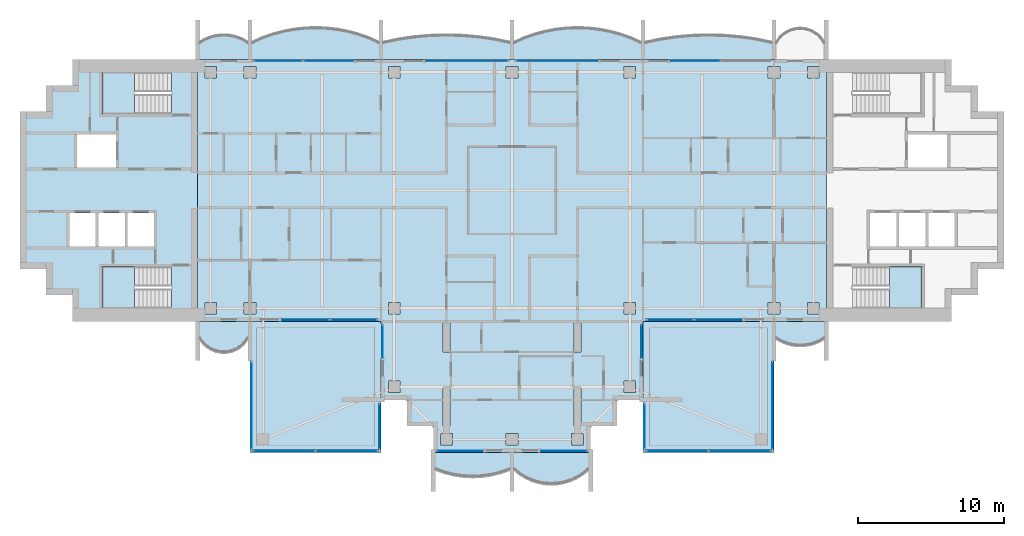
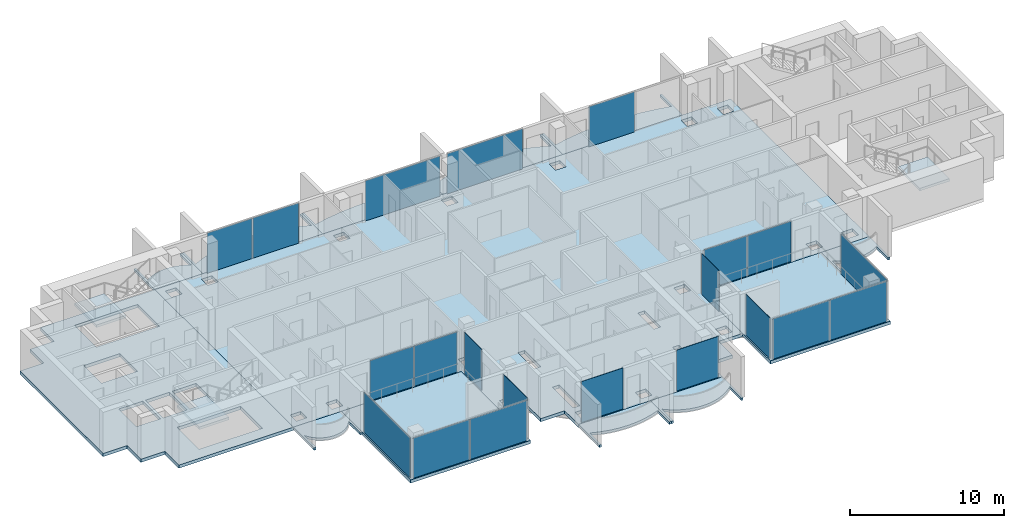
# One storey, part 5 of 16: 21 plates, 16 slabs, 19 elements without a shape of their own.
"""IFC4 building model written with IfcOpenShell, lengths in metres."""

from ifc_helpers import new_model, si_unit, direction, frame, origin, origin_2d, place, context, subcontext, project, spatial, polyline, rectangle, outline, extrude, material, layer, layer_set, type_object, element, aggregate, save


model = new_model("IFC4")

# Units and contexts
model_context = context("Model", 3, precision=1e-05, world=origin(), true_north=direction((0.0, 1.0)))
body_context = subcontext(model_context, "Body", "Model", "MODEL_VIEW")
ifc_project = project(units=[si_unit("LENGTHUNIT", "METRE"), si_unit("AREAUNIT", "SQUARE_METRE"), si_unit("VOLUMEUNIT", "CUBIC_METRE"), si_unit("PLANEANGLEUNIT", "RADIAN"), si_unit("MASSUNIT", "GRAM", prefix="KILO")], contexts=[model_context])

# Site, building, storey
site_placement = place(None, origin())
site = spatial("IfcSite", under=ifc_project, at=site_placement, CompositionType="ELEMENT")
building_placement = place(site_placement, origin())
building = spatial("IfcBuilding", under=site, at=building_placement, Name="Perihelion Cross Residences", CompositionType="ELEMENT")
storey_placement = place(building_placement, frame((0.0, 0.0, 257.0)))
storey = spatial("IfcBuildingStorey", under=building, at=storey_placement, Name="L65", CompositionType="ELEMENT", Elevation=257.0)

# Slabs
ifc_material_1 = material(Name="Concrete C40/50", Category="concrete")
ifc_layer_1 = layer(ifc_material_1, 0.199951171875)
ifc_layer_set_1 = layer_set([ifc_layer_1], Name="Balcony slab 200")
slab_type_1 = type_object("IfcSlabType", Name="Balcony slab 200", PredefinedType="FLOOR", material=ifc_layer_set_1)
slab_1_placement = place(storey_placement, frame((0.0, 0.0, -0.199951171875)))
element("IfcSlab", 1, at=slab_1_placement, inside=storey, type_object=slab_type_1, Name="Slab BK1 L65 east side north bay 2 balcony", PredefinedType="FLOOR", context=body_context, shape_type="SweptSolid", body=[
    extrude(outline(polyline([(18.0, 9.0), (9.0, 9.0), (9.0, 11.699951171875), (9.14990234375, 11.699951171875), (9.14990234375, 10.199951171875), (10.237548828125, 10.42041015625), (11.324951171875, 10.576171875), (12.41259765625, 10.669189453125), (13.5, 10.699951171875), (14.58740234375, 10.669189453125), (15.675048828125, 10.576171875), (16.762451171875, 10.42041015625), (17.85009765625, 10.199951171875), (17.85009765625, 11.699951171875), (18.0, 11.699951171875), (18.0, 9.0)])), origin(), (0.0, 0.0, 1.0), 0.199951171875),
])
slab_2_placement = place(storey_placement, frame((0.0, 0.0, -0.199951171875)))
element("IfcSlab", 2, at=slab_2_placement, inside=storey, type_object=slab_type_1, Name="Slab BK1 L65 north side east bay 1 balcony", PredefinedType="FLOOR", context=body_context, shape_type="SweptSolid", body=[
    extrude(outline(polyline([(9.0, 9.0), (0.0, 9.0), (0.0, 11.699951171875), (0.14990234375, 11.699951171875), (0.14990234375, 10.199951171875), (0.875, 10.51708984375), (1.60009765625, 10.7685546875), (2.324951171875, 10.959716796875), (3.050048828125, 11.093994140625), (3.77490234375, 11.173583984375), (4.5, 11.199951171875), (5.22509765625, 11.173583984375), (5.949951171875, 11.093994140625), (6.675048828125, 10.959716796875), (7.39990234375, 10.7685546875), (8.125, 10.51708984375), (8.85009765625, 10.199951171875), (8.85009765625, 11.699951171875), (9.0, 11.699951171875), (9.0, 9.0)])), origin(), (0.0, 0.0, 1.0), 0.199951171875),
])
slab_3_placement = place(storey_placement, frame((0.0, 0.0, -0.199951171875)))
element("IfcSlab", 3, at=slab_3_placement, inside=storey, type_object=slab_type_1, Name="Slab BK1 L65 north side east bay 2 balcony", PredefinedType="FLOOR", context=body_context, shape_type="SweptSolid", body=[
    extrude(outline(polyline([(0.0, 9.0), (-9.0, 9.0), (-9.0, 11.699951171875), (-8.85009765625, 11.699951171875), (-8.85009765625, 10.199951171875), (-7.762451171875, 10.42041015625), (-6.675048828125, 10.576171875), (-5.58740234375, 10.669189453125), (-4.5, 10.699951171875), (-3.41259765625, 10.669189453125), (-2.324951171875, 10.576171875), (-1.237548828125, 10.42041015625), (-0.14990234375, 10.199951171875), (-0.14990234375, 11.699951171875), (0.0, 11.699951171875), (0.0, 9.0)])), origin(), (0.0, 0.0, 1.0), 0.199951171875),
])
slab_4_placement = place(storey_placement, frame((0.0, 0.0, -0.199951171875)))
element("IfcSlab", 4, at=slab_4_placement, inside=storey, type_object=slab_type_1, Name="Slab BK1 L65 west side north bay 1 balcony", PredefinedType="FLOOR", context=body_context, shape_type="SweptSolid", body=[
    extrude(outline(polyline([(-9.0, 9.0), (-18.0, 9.0), (-18.0, 11.699951171875), (-17.85009765625, 11.699951171875), (-17.85009765625, 10.199951171875), (-17.125, 10.51708984375), (-16.39990234375, 10.7685546875), (-15.675048828125, 10.959716796875), (-14.949951171875, 11.093994140625), (-14.22509765625, 11.173583984375), (-13.5, 11.199951171875), (-12.77490234375, 11.173583984375), (-12.050048828125, 11.093994140625), (-11.324951171875, 10.959716796875), (-10.60009765625, 10.7685546875), (-9.875, 10.51708984375), (-9.14990234375, 10.199951171875), (-9.14990234375, 11.699951171875), (-9.0, 11.699951171875), (-9.0, 9.0)])), origin(), (0.0, 0.0, 1.0), 0.199951171875),
])
slab_5_placement = place(storey_placement, frame((0.0, 0.0, -0.199951171875)))
element("IfcSlab", 5, at=slab_5_placement, inside=storey, type_object=slab_type_1, Name="Slab BK1 L65 west side north bay 2 balcony", PredefinedType="FLOOR", context=body_context, shape_type="SweptSolid", body=[
    extrude(outline(polyline([(-18.0, 9.0), (-21.60009765625, 9.0), (-21.60009765625, 11.699951171875), (-21.449951171875, 11.699951171875), (-21.449951171875, 10.199951171875), (-21.083251953125, 10.40869140625), (-20.716552734375, 10.55517578125), (-20.35009765625, 10.648681640625), (-19.9833984375, 10.6943359375), (-19.61669921875, 10.6943359375), (-19.25, 10.648681640625), (-18.88330078125, 10.55517578125), (-18.5166015625, 10.40869140625), (-18.14990234375, 10.199951171875), (-18.14990234375, 11.699951171875), (-18.0, 11.699951171875), (-18.0, 9.0)])), origin(), (0.0, 0.0, 1.0), 0.199951171875),
])
slab_6_placement = place(storey_placement, frame((0.0, 0.0, -0.199951171875)))
element("IfcSlab", 6, at=slab_6_placement, inside=storey, type_object=slab_type_1, Name="Slab BK1 L65 west side south bay 1 balcony", PredefinedType="FLOOR", context=body_context, shape_type="SweptSolid", body=[
    extrude(outline(polyline([(-21.60009765625, -9.0), (-18.0, -9.0), (-18.0, -11.699951171875), (-18.14990234375, -11.699951171875), (-18.14990234375, -10.199951171875), (-18.425048828125, -10.568603515625), (-18.699951171875, -10.806396484375), (-18.97509765625, -10.96875), (-19.25, -11.07568359375), (-19.52490234375, -11.136962890625), (-19.800048828125, -11.156982421875), (-20.074951171875, -11.136962890625), (-20.35009765625, -11.07568359375), (-20.625, -10.96875), (-20.89990234375, -10.806396484375), (-21.175048828125, -10.568603515625), (-21.449951171875, -10.199951171875), (-21.449951171875, -11.699951171875), (-21.60009765625, -11.699951171875), (-21.60009765625, -9.0)])), origin(), (0.0, 0.0, 1.0), 0.199951171875),
])
slab_7_placement = place(storey_placement, frame((0.0, 0.0, -0.199951171875)))
element("IfcSlab", 7, at=slab_7_placement, inside=storey, type_object=slab_type_1, Name="Slab BK1 L65 south tip south bay 1 balcony", PredefinedType="FLOOR", context=body_context, shape_type="SweptSolid", body=[
    extrude(outline(polyline([(-5.39990234375, -18.0), (0.0, -18.0), (0.0, -20.699951171875), (-0.14990234375, -20.699951171875), (-0.14990234375, -19.199951171875), (-0.78759765625, -19.423583984375), (-1.425048828125, -19.57861328125), (-2.0625, -19.669921875), (-2.699951171875, -19.699951171875), (-3.33740234375, -19.669921875), (-3.97509765625, -19.57861328125), (-4.612548828125, -19.423583984375), (-5.25, -19.199951171875), (-5.25, -20.699951171875), (-5.39990234375, -20.699951171875), (-5.39990234375, -18.0)])), origin(), (0.0, 0.0, 1.0), 0.199951171875),
])
slab_8_placement = place(storey_placement, frame((0.0, 0.0, -0.199951171875)))
element("IfcSlab", 8, at=slab_8_placement, inside=storey, type_object=slab_type_1, Name="Slab BK1 L65 south tip south bay 2 balcony", PredefinedType="FLOOR", context=body_context, shape_type="SweptSolid", body=[
    extrude(outline(polyline([(0.0, -18.0), (5.39990234375, -18.0), (5.39990234375, -20.699951171875), (5.25, -20.699951171875), (5.25, -19.199951171875), (4.824951171875, -19.5400390625), (4.39990234375, -19.792724609375), (3.97509765625, -19.9765625), (3.550048828125, -20.1025390625), (3.125, -20.17578125), (2.699951171875, -20.199951171875), (2.27490234375, -20.17578125), (1.85009765625, -20.1025390625), (1.425048828125, -19.9765625), (1.0, -19.792724609375), (0.574951171875, -19.5400390625), (0.14990234375, -19.199951171875), (0.14990234375, -20.699951171875), (0.0, -20.699951171875), (0.0, -18.0)])), origin(), (0.0, 0.0, 1.0), 0.199951171875),
])
slab_9_placement = place(storey_placement, frame((0.0, 0.0, -0.199951171875)))
element("IfcSlab", 9, at=slab_9_placement, inside=storey, type_object=slab_type_1, Name="Slab BK1 L65 east side south bay 2 balcony", PredefinedType="FLOOR", context=body_context, shape_type="SweptSolid", body=[
    extrude(outline(polyline([(18.0, -9.0), (21.60009765625, -9.0), (21.60009765625, -11.699951171875), (21.449951171875, -11.699951171875), (21.449951171875, -10.199951171875), (21.083251953125, -10.40869140625), (20.716552734375, -10.55517578125), (20.35009765625, -10.648681640625), (19.9833984375, -10.6943359375), (19.61669921875, -10.6943359375), (19.25, -10.648681640625), (18.88330078125, -10.55517578125), (18.5166015625, -10.40869140625), (18.14990234375, -10.199951171875), (18.14990234375, -11.699951171875), (18.0, -11.699951171875), (18.0, -9.0)])), origin(), (0.0, 0.0, 1.0), 0.199951171875),
])

# Curtain wall, plate
ifc_material_2 = material(Name="Bronze anodised aluminium, tinted glazing", Category="aluminium")
curtain_wall_type_1 = type_object("IfcCurtainWallType", Name="CW1", PredefinedType="NOTDEFINED", material=ifc_material_2)
curtain_wall_1_placement = place(storey_placement, origin())
curtain_wall_1 = element("IfcCurtainWall", 10, at=curtain_wall_1_placement, inside=storey, type_object=curtain_wall_type_1, Name="Curtain wall CW1 L65 east side north bay 2", PredefinedType="NOTDEFINED")
ifc_material_3 = material(Name="Tinted laminated glass", Category="glass")
ifc_layer_2 = layer(ifc_material_3, 0.028076171875)
ifc_layer_set_2 = layer_set([ifc_layer_2], Name="CW1 panel")
plate_type_1 = type_object("IfcPlateType", Name="CW1 panel", PredefinedType="CURTAIN_PANEL", material=ifc_layer_set_2)
plate_1_placement = place(storey_placement, frame((12.610107421875, 8.89990234375, 0.0), z_axis=(0.0, 0.0, 1.0), x_axis=(-1.0, 0.0, 0.0)))
plate_1 = element("IfcPlate", 11, at=plate_1_placement, type_object=plate_type_1, Name="CW1 panel 2", PredefinedType="CURTAIN_PANEL", context=body_context, shape_type="SweptSolid", body=[
    extrude(rectangle(XDim=3.419921875, YDim=0.028076171875, at=origin_2d()), origin(), (0.0, 0.0, 1.0), 3.18994140625),
])
aggregate(curtain_wall_1, [plate_1])

curtain_wall_2_placement = place(storey_placement, origin())
curtain_wall_2 = element("IfcCurtainWall", 12, at=curtain_wall_2_placement, inside=storey, type_object=curtain_wall_type_1, Name="Curtain wall CW1 L65 north side east bay 1", PredefinedType="NOTDEFINED")
plate_2_placement = place(storey_placement, frame((3.080078125, 8.89990234375, 0.0), z_axis=(0.0, 0.0, 1.0), x_axis=(-1.0, 0.0, 0.0)))
plate_2 = element("IfcPlate", 13, at=plate_2_placement, type_object=plate_type_1, Name="CW1 panel 1", PredefinedType="CURTAIN_PANEL", context=body_context, shape_type="SweptSolid", body=[
    extrude(rectangle(XDim=5.639892578125, YDim=0.028076171875, at=origin_2d()), origin(), (0.0, 0.0, 1.0), 3.18994140625),
])
aggregate(curtain_wall_2, [plate_2])

curtain_wall_3_placement = place(storey_placement, origin())
curtain_wall_3 = element("IfcCurtainWall", 14, at=curtain_wall_3_placement, inside=storey, type_object=curtain_wall_type_1, Name="Curtain wall CW1 L65 north side east bay 2", PredefinedType="NOTDEFINED")
plate_3_placement = place(storey_placement, frame((-3.080078125, 8.89990234375, 0.0), z_axis=(0.0, 0.0, 1.0), x_axis=(-1.0, 0.0, 0.0)))
plate_3 = element("IfcPlate", 15, at=plate_3_placement, type_object=plate_type_1, Name="CW1 panel 1", PredefinedType="CURTAIN_PANEL", context=body_context, shape_type="SweptSolid", body=[
    extrude(rectangle(XDim=5.639892578125, YDim=0.028076171875, at=origin_2d()), origin(), (0.0, 0.0, 1.0), 3.18994140625),
])
aggregate(curtain_wall_3, [plate_3])

# Curtain wall, plates
curtain_wall_4_placement = place(storey_placement, origin())
curtain_wall_4 = element("IfcCurtainWall", 16, at=curtain_wall_4_placement, inside=storey, type_object=curtain_wall_type_1, Name="Curtain wall CW1 L65 west side north bay 1", PredefinedType="NOTDEFINED")
plate_4_placement = place(storey_placement, frame((-12.610107421875, 8.89990234375, 0.0), z_axis=(0.0, 0.0, 1.0), x_axis=(-1.0, 0.0, 0.0)))
plate_4 = element("IfcPlate", 17, at=plate_4_placement, type_object=plate_type_1, Name="CW1 panel 1", PredefinedType="CURTAIN_PANEL", context=body_context, shape_type="SweptSolid", body=[
    extrude(rectangle(XDim=3.419921875, YDim=0.028076171875, at=origin_2d()), origin(), (0.0, 0.0, 1.0), 3.18994140625),
])
plate_5_placement = place(storey_placement, frame((-16.06005859375, 8.89990234375, 0.0), z_axis=(0.0, 0.0, 1.0), x_axis=(-1.0, 0.0, 0.0)))
plate_5 = element("IfcPlate", 18, at=plate_5_placement, type_object=plate_type_1, Name="CW1 panel 2", PredefinedType="CURTAIN_PANEL", context=body_context, shape_type="SweptSolid", body=[
    extrude(rectangle(XDim=3.360107421875, YDim=0.028076171875, at=origin_2d()), origin(), (0.0, 0.0, 1.0), 3.18994140625),
])
aggregate(curtain_wall_4, [plate_4, plate_5])

curtain_wall_5_placement = place(storey_placement, origin())
curtain_wall_5 = element("IfcCurtainWall", 19, at=curtain_wall_5_placement, inside=storey, type_object=curtain_wall_type_1, Name="Curtain wall CW1 L65 west side south bay 2", PredefinedType="NOTDEFINED")
plate_6_placement = place(storey_placement, frame((-14.1650390625, -8.89990234375, 0.0), z_axis=(0.0, 0.0, 1.0), x_axis=(1.0, 0.0, 0.0)))
plate_6 = element("IfcPlate", 20, at=plate_6_placement, type_object=plate_type_1, Name="CW1 panel 1", PredefinedType="CURTAIN_PANEL", context=body_context, shape_type="SweptSolid", body=[
    extrude(rectangle(XDim=3.27001953125, YDim=0.028076171875, at=origin_2d()), origin(), (0.0, 0.0, 1.0), 3.18994140625),
])
plate_7_placement = place(storey_placement, frame((-10.864990234375, -8.89990234375, 0.0), z_axis=(0.0, 0.0, 1.0), x_axis=(1.0, 0.0, 0.0)))
plate_7 = element("IfcPlate", 21, at=plate_7_placement, type_object=plate_type_1, Name="CW1 panel 2", PredefinedType="CURTAIN_PANEL", context=body_context, shape_type="SweptSolid", body=[
    extrude(rectangle(XDim=3.2099609375, YDim=0.028076171875, at=origin_2d()), origin(), (0.0, 0.0, 1.0), 3.18994140625),
])
aggregate(curtain_wall_5, [plate_6, plate_7])

# Curtain wall, plate
curtain_wall_6_placement = place(storey_placement, origin())
curtain_wall_6 = element("IfcCurtainWall", 22, at=curtain_wall_6_placement, inside=storey, type_object=curtain_wall_type_1, Name="Curtain wall CW1 L65 south side west bay 1", PredefinedType="NOTDEFINED")
plate_8_placement = place(storey_placement, frame((-8.89990234375, -10.3798828125, 0.0), z_axis=(0.0, 0.0, 1.0), x_axis=(0.0, -1.0, 0.0)))
plate_8 = element("IfcPlate", 23, at=plate_8_placement, type_object=plate_type_1, Name="CW1 panel 1", PredefinedType="CURTAIN_PANEL", context=body_context, shape_type="SweptSolid", body=[
    extrude(rectangle(XDim=2.239990234375, YDim=0.028076171875, at=origin_2d()), origin(), (0.0, 0.0, 1.0), 3.25),
])
aggregate(curtain_wall_6, [plate_8])

curtain_wall_7_placement = place(storey_placement, origin())
curtain_wall_7 = element("IfcCurtainWall", 24, at=curtain_wall_7_placement, inside=storey, type_object=curtain_wall_type_1, Name="Curtain wall CW1 L65 south tip south bay 1", PredefinedType="NOTDEFINED")
plate_9_placement = place(storey_placement, frame((-3.570068359375, -17.89990234375, 0.0), z_axis=(0.0, 0.0, 1.0), x_axis=(1.0, 0.0, 0.0)))
plate_9 = element("IfcPlate", 25, at=plate_9_placement, type_object=plate_type_1, Name="CW1 panel 1", PredefinedType="CURTAIN_PANEL", context=body_context, shape_type="SweptSolid", body=[
    extrude(rectangle(XDim=3.139892578125, YDim=0.028076171875, at=origin_2d()), origin(), (0.0, 0.0, 1.0), 3.25),
])
aggregate(curtain_wall_7, [plate_9])

curtain_wall_8_placement = place(storey_placement, origin())
curtain_wall_8 = element("IfcCurtainWall", 26, at=curtain_wall_8_placement, inside=storey, type_object=curtain_wall_type_1, Name="Curtain wall CW1 L65 south tip south bay 2", PredefinedType="NOTDEFINED")
plate_10_placement = place(storey_placement, frame((3.570068359375, -17.89990234375, 0.0), z_axis=(0.0, 0.0, 1.0), x_axis=(1.0, 0.0, 0.0)))
plate_10 = element("IfcPlate", 27, at=plate_10_placement, type_object=plate_type_1, Name="CW1 panel 1", PredefinedType="CURTAIN_PANEL", context=body_context, shape_type="SweptSolid", body=[
    extrude(rectangle(XDim=3.139892578125, YDim=0.028076171875, at=origin_2d()), origin(), (0.0, 0.0, 1.0), 3.25),
])
aggregate(curtain_wall_8, [plate_10])

curtain_wall_9_placement = place(storey_placement, origin())
curtain_wall_9 = element("IfcCurtainWall", 28, at=curtain_wall_9_placement, inside=storey, type_object=curtain_wall_type_1, Name="Curtain wall CW1 L65 south side east bay 1", PredefinedType="NOTDEFINED")
plate_11_placement = place(storey_placement, frame((8.89990234375, -10.3798828125, 0.0), z_axis=(0.0, 0.0, 1.0), x_axis=(0.0, 1.0, 0.0)))
plate_11 = element("IfcPlate", 29, at=plate_11_placement, type_object=plate_type_1, Name="CW1 panel 1", PredefinedType="CURTAIN_PANEL", context=body_context, shape_type="SweptSolid", body=[
    extrude(rectangle(XDim=2.239990234375, YDim=0.028076171875, at=origin_2d()), origin(), (0.0, 0.0, 1.0), 3.25),
])
aggregate(curtain_wall_9, [plate_11])

# Curtain wall, plates
curtain_wall_10_placement = place(storey_placement, origin())
curtain_wall_10 = element("IfcCurtainWall", 30, at=curtain_wall_10_placement, inside=storey, type_object=curtain_wall_type_1, Name="Curtain wall CW1 L65 east side south bay 1", PredefinedType="NOTDEFINED")
plate_12_placement = place(storey_placement, frame((10.864990234375, -8.89990234375, 0.0), z_axis=(0.0, 0.0, 1.0), x_axis=(1.0, 0.0, 0.0)))
plate_12 = element("IfcPlate", 31, at=plate_12_placement, type_object=plate_type_1, Name="CW1 panel 1", PredefinedType="CURTAIN_PANEL", context=body_context, shape_type="SweptSolid", body=[
    extrude(rectangle(XDim=3.2099609375, YDim=0.028076171875, at=origin_2d()), origin(), (0.0, 0.0, 1.0), 3.18994140625),
])
plate_13_placement = place(storey_placement, frame((14.1650390625, -8.89990234375, 0.0), z_axis=(0.0, 0.0, 1.0), x_axis=(1.0, 0.0, 0.0)))
plate_13 = element("IfcPlate", 32, at=plate_13_placement, type_object=plate_type_1, Name="CW1 panel 2", PredefinedType="CURTAIN_PANEL", context=body_context, shape_type="SweptSolid", body=[
    extrude(rectangle(XDim=3.27001953125, YDim=0.028076171875, at=origin_2d()), origin(), (0.0, 0.0, 1.0), 3.18994140625),
])
aggregate(curtain_wall_10, [plate_12, plate_13])

# Curtain wall, plate
ifc_material_4 = material(Name="Bronze anodised aluminium, tinted glazing", Category="aluminium")
curtain_wall_type_2 = type_object("IfcCurtainWallType", Name="CW4", PredefinedType="NOTDEFINED", material=ifc_material_4)
curtain_wall_11_placement = place(storey_placement, origin())
curtain_wall_11 = element("IfcCurtainWall", 33, at=curtain_wall_11_placement, inside=storey, type_object=curtain_wall_type_2, Name="Curtain wall CW4 L65 pocket south-east 1 1", PredefinedType="NOTDEFINED")
ifc_material_5 = material(Name="Tinted laminated glass", Category="glass")
ifc_layer_3 = layer(ifc_material_5, 0.030029296875)
ifc_layer_set_3 = layer_set([ifc_layer_3], Name="CW4 panel")
plate_type_2 = type_object("IfcPlateType", Name="CW4 panel", PredefinedType="CURTAIN_PANEL", material=ifc_layer_set_3)
plate_14_placement = place(storey_placement, frame((17.89990234375, -14.784912109375, 0.0), z_axis=(0.0, 0.0, 1.0), x_axis=(0.0, -1.0, 0.0)))
plate_14 = element("IfcPlate", 34, at=plate_14_placement, type_object=plate_type_2, Name="CW4 panel 1", PredefinedType="CURTAIN_PANEL", context=body_context, shape_type="SweptSolid", body=[
    extrude(rectangle(XDim=5.969970703125, YDim=0.030029296875, at=origin_2d()), origin(), (0.0, 0.0, 1.0), 3.18994140625),
])
aggregate(curtain_wall_11, [plate_14])

# Curtain wall, plates
curtain_wall_12_placement = place(storey_placement, origin())
curtain_wall_12 = element("IfcCurtainWall", 35, at=curtain_wall_12_placement, inside=storey, type_object=curtain_wall_type_2, Name="Curtain wall CW4 L65 pocket south-east 1 2", PredefinedType="NOTDEFINED")
plate_15_placement = place(storey_placement, frame((15.64990234375, -17.89990234375, 0.0), z_axis=(0.0, 0.0, 1.0), x_axis=(-1.0, 0.0, 0.0)))
plate_15 = element("IfcPlate", 36, at=plate_15_placement, type_object=plate_type_2, Name="CW4 panel 1", PredefinedType="CURTAIN_PANEL", context=body_context, shape_type="SweptSolid", body=[
    extrude(rectangle(XDim=4.239990234375, YDim=0.030029296875, at=origin_2d()), origin(), (0.0, 0.0, 1.0), 3.18994140625),
])
plate_16_placement = place(storey_placement, frame((11.35009765625, -17.89990234375, 0.0), z_axis=(0.0, 0.0, 1.0), x_axis=(-1.0, 0.0, 0.0)))
plate_16 = element("IfcPlate", 37, at=plate_16_placement, type_object=plate_type_2, Name="CW4 panel 2", PredefinedType="CURTAIN_PANEL", context=body_context, shape_type="SweptSolid", body=[
    extrude(rectangle(XDim=4.239990234375, YDim=0.030029296875, at=origin_2d()), origin(), (0.0, 0.0, 1.0), 3.18994140625),
])
aggregate(curtain_wall_12, [plate_15, plate_16])

# Curtain wall, plate
curtain_wall_13_placement = place(storey_placement, origin())
curtain_wall_13 = element("IfcCurtainWall", 38, at=curtain_wall_13_placement, inside=storey, type_object=curtain_wall_type_2, Name="Curtain wall CW4 L65 pocket south-east 1 3", PredefinedType="NOTDEFINED")
plate_17_placement = place(storey_placement, frame((9.10009765625, -16.2294921875, 0.0), z_axis=(0.0, 0.0, 1.0), x_axis=(0.0, 1.0, 0.0)))
plate_17 = element("IfcPlate", 39, at=plate_17_placement, type_object=plate_type_2, Name="CW4 panel 1", PredefinedType="CURTAIN_PANEL", context=body_context, shape_type="SweptSolid", body=[
    extrude(rectangle(XDim=3.0810546875, YDim=0.030029296875, at=origin_2d()), origin(), (0.0, 0.0, 1.0), 3.25),
])
aggregate(curtain_wall_13, [plate_17])

curtain_wall_14_placement = place(storey_placement, origin())
curtain_wall_14 = element("IfcCurtainWall", 40, at=curtain_wall_14_placement, inside=storey, type_object=curtain_wall_type_2, Name="Curtain wall CW4 L65 pocket south-west 1 1", PredefinedType="NOTDEFINED")
plate_18_placement = place(storey_placement, frame((-9.10009765625, -16.2294921875, 0.0), z_axis=(0.0, 0.0, 1.0), x_axis=(0.0, -1.0, 0.0)))
plate_18 = element("IfcPlate", 41, at=plate_18_placement, type_object=plate_type_2, Name="CW4 panel 1", PredefinedType="CURTAIN_PANEL", context=body_context, shape_type="SweptSolid", body=[
    extrude(rectangle(XDim=3.0810546875, YDim=0.030029296875, at=origin_2d()), origin(), (0.0, 0.0, 1.0), 3.25),
])
aggregate(curtain_wall_14, [plate_18])

# Curtain wall, plates
curtain_wall_15_placement = place(storey_placement, origin())
curtain_wall_15 = element("IfcCurtainWall", 42, at=curtain_wall_15_placement, inside=storey, type_object=curtain_wall_type_2, Name="Curtain wall CW4 L65 pocket south-west 1 2", PredefinedType="NOTDEFINED")
plate_19_placement = place(storey_placement, frame((-11.35009765625, -17.89990234375, 0.0), z_axis=(0.0, 0.0, 1.0), x_axis=(-1.0, 0.0, 0.0)))
plate_19 = element("IfcPlate", 43, at=plate_19_placement, type_object=plate_type_2, Name="CW4 panel 1", PredefinedType="CURTAIN_PANEL", context=body_context, shape_type="SweptSolid", body=[
    extrude(rectangle(XDim=4.239990234375, YDim=0.030029296875, at=origin_2d()), origin(), (0.0, 0.0, 1.0), 3.18994140625),
])
plate_20_placement = place(storey_placement, frame((-15.64990234375, -17.89990234375, 0.0), z_axis=(0.0, 0.0, 1.0), x_axis=(-1.0, 0.0, 0.0)))
plate_20 = element("IfcPlate", 44, at=plate_20_placement, type_object=plate_type_2, Name="CW4 panel 2", PredefinedType="CURTAIN_PANEL", context=body_context, shape_type="SweptSolid", body=[
    extrude(rectangle(XDim=4.239990234375, YDim=0.030029296875, at=origin_2d()), origin(), (0.0, 0.0, 1.0), 3.18994140625),
])
aggregate(curtain_wall_15, [plate_19, plate_20])

# Curtain wall, plate
curtain_wall_16_placement = place(storey_placement, origin())
curtain_wall_16 = element("IfcCurtainWall", 45, at=curtain_wall_16_placement, inside=storey, type_object=curtain_wall_type_2, Name="Curtain wall CW4 L65 pocket south-west 1 3", PredefinedType="NOTDEFINED")
plate_21_placement = place(storey_placement, frame((-17.89990234375, -14.784912109375, 0.0), z_axis=(0.0, 0.0, 1.0), x_axis=(0.0, 1.0, 0.0)))
plate_21 = element("IfcPlate", 46, at=plate_21_placement, type_object=plate_type_2, Name="CW4 panel 1", PredefinedType="CURTAIN_PANEL", context=body_context, shape_type="SweptSolid", body=[
    extrude(rectangle(XDim=5.969970703125, YDim=0.030029296875, at=origin_2d()), origin(), (0.0, 0.0, 1.0), 3.18994140625),
])
aggregate(curtain_wall_16, [plate_21])

# Slab
ifc_material_6 = material(Name="Concrete C40/50", Category="concrete")
ifc_layer_4 = layer(ifc_material_6, 0.25)
ifc_layer_set_4 = layer_set([ifc_layer_4], Name="Core floor slab 250")
slab_type_2 = type_object("IfcSlabType", Name="Core floor slab 250", PredefinedType="FLOOR", material=ifc_layer_set_4)
slab_10_placement = place(storey_placement, frame((0.0, 0.0, -0.25)))
element("IfcSlab", 47, at=slab_10_placement, inside=storey, type_object=slab_type_2, Name="West core floor slab", PredefinedType="FLOOR", context=body_context, shape_type="SweptSolid", body=[
    extrude(outline(polyline([(-30.199951171875, 7.199951171875), (-32.0, 7.199951171875), (-32.0, 5.39990234375), (-33.800048828125, 5.39990234375), (-33.800048828125, -5.39990234375), (-32.0, -5.39990234375), (-32.0, -7.199951171875), (-30.199951171875, -7.199951171875), (-30.199951171875, -9.0), (-21.60009765625, -9.0), (-21.60009765625, 9.0), (-30.199951171875, 9.0), (-30.199951171875, 7.199951171875)]), holes=[polyline([(-28.14990234375, -8.10009765625), (-28.14990234375, -5.25), (-23.405029296875, -5.25), (-23.405029296875, -8.10009765625), (-28.14990234375, -8.10009765625)]), polyline([(-24.60009765625, -1.550048828125), (-24.60009765625, -3.85009765625), (-26.39990234375, -3.85009765625), (-26.39990234375, -1.550048828125), (-24.60009765625, -1.550048828125)]), polyline([(-26.60009765625, -1.550048828125), (-26.60009765625, -3.85009765625), (-28.39990234375, -3.85009765625), (-28.39990234375, -1.550048828125), (-26.60009765625, -1.550048828125)]), polyline([(-28.60009765625, -3.85009765625), (-30.39990234375, -3.85009765625), (-30.39990234375, -1.550048828125), (-28.60009765625, -1.550048828125), (-28.60009765625, -3.85009765625)]), polyline([(-27.199951171875, 3.85009765625), (-27.199951171875, 1.550048828125), (-29.89990234375, 1.550048828125), (-29.89990234375, 3.85009765625), (-27.199951171875, 3.85009765625)]), polyline([(-23.405029296875, 5.25), (-28.14990234375, 5.25), (-28.14990234375, 8.10009765625), (-23.405029296875, 8.10009765625), (-23.405029296875, 5.25)])]), origin(), (0.0, 0.0, 1.0), 0.25),
])

# Stair, slab
ifc_material_7 = material(Name="Concrete C40/50", Category="concrete")
stair_type = type_object("IfcStairType", Name="Exit stair, half-turn", PredefinedType="HALF_TURN_STAIR", material=ifc_material_7)
stair_1_placement = place(storey_placement, origin())
stair_1 = element("IfcStair", 48, at=stair_1_placement, inside=storey, type_object=stair_type, Name="L65 East core exit stair 2", PredefinedType="HALF_TURN_STAIR")
ifc_material_8 = material(Name="Concrete C40/50", Category="concrete")
ifc_layer_5 = layer(ifc_material_8, 0.199951171875)
ifc_layer_set_5 = layer_set([ifc_layer_5], Name="Exit stair landing 200")
slab_type_3 = type_object("IfcSlabType", Name="Exit stair landing 200", PredefinedType="LANDING", material=ifc_layer_set_5)
slab_11_placement = place(storey_placement, frame((0.0, 0.0, 1.550048828125)))
slab_11 = element("IfcSlab", 49, at=slab_11_placement, type_object=slab_type_3, Name="ST-E2 landing 1", PredefinedType="LANDING", context=body_context, shape_type="SweptSolid", body=[
    extrude(outline(polyline([(25.919921875, -8.10009765625), (28.14990234375, -8.10009765625), (28.14990234375, -5.25), (25.919921875, -5.25), (25.919921875, -8.10009765625)])), origin(), (0.0, 0.0, 1.0), 0.199951171875),
])
aggregate(stair_1, [slab_11])

stair_2_placement = place(storey_placement, origin())
stair_2 = element("IfcStair", 50, at=stair_2_placement, inside=storey, type_object=stair_type, Name="L65 West core exit stair 1", PredefinedType="HALF_TURN_STAIR")
slab_12_placement = place(storey_placement, frame((0.0, 0.0, 1.550048828125)))
slab_12 = element("IfcSlab", 51, at=slab_12_placement, type_object=slab_type_3, Name="ST-W1 landing 1", PredefinedType="LANDING", context=body_context, shape_type="SweptSolid", body=[
    extrude(outline(polyline([(-25.919921875, 8.10009765625), (-28.14990234375, 8.10009765625), (-28.14990234375, 5.25), (-25.919921875, 5.25), (-25.919921875, 8.10009765625)])), origin(), (0.0, 0.0, 1.0), 0.199951171875),
])
aggregate(stair_2, [slab_12])

stair_3_placement = place(storey_placement, origin())
stair_3 = element("IfcStair", 52, at=stair_3_placement, inside=storey, type_object=stair_type, Name="L65 West core exit stair 2", PredefinedType="HALF_TURN_STAIR")
slab_13_placement = place(storey_placement, frame((0.0, 0.0, 1.550048828125)))
slab_13 = element("IfcSlab", 53, at=slab_13_placement, type_object=slab_type_3, Name="ST-W2 landing 1", PredefinedType="LANDING", context=body_context, shape_type="SweptSolid", body=[
    extrude(outline(polyline([(-25.919921875, -5.25), (-28.14990234375, -5.25), (-28.14990234375, -8.10009765625), (-25.919921875, -8.10009765625), (-25.919921875, -5.25)])), origin(), (0.0, 0.0, 1.0), 0.199951171875),
])
aggregate(stair_3, [slab_13])

# Slabs
ifc_material_9 = material(Name="Concrete C50/60", Category="concrete")
ifc_layer_6 = layer(ifc_material_9, 0.25)
ifc_layer_set_6 = layer_set([ifc_layer_6], Name="Residential floor post-tensioned slab concrete C50/60")
slab_type_4 = type_object("IfcSlabType", Name="Residential floor post-tensioned slab concrete C50/60", PredefinedType="FLOOR", material=ifc_layer_set_6)
slab_14_placement = place(storey_placement, frame((0.0, 0.0, -0.25)))
element("IfcSlab", 54, at=slab_14_placement, inside=storey, type_object=slab_type_4, Name="Slab SL8 L65 1 no. 1", PredefinedType="FLOOR", context=body_context, shape_type="SweptSolid", body=[
    extrude(outline(polyline([(-9.0, 9.0), (9.0, 9.0), (21.60009765625, 9.0), (21.60009765625, -9.0), (9.0, -9.0), (9.0, -14.39990234375), (7.199951171875, -14.39990234375), (7.199951171875, -16.199951171875), (5.39990234375, -16.199951171875), (5.39990234375, -18.0), (-5.39990234375, -18.0), (-5.39990234375, -16.199951171875), (-7.199951171875, -16.199951171875), (-7.199951171875, -14.39990234375), (-9.0, -14.39990234375), (-9.0, -9.0), (-21.60009765625, -9.0), (-21.60009765625, 9.0), (-9.0, 9.0)]), holes=[polyline([(-4.10009765625, -16.699951171875), (-4.89990234375, -16.699951171875), (-4.89990234375, -17.5), (-4.10009765625, -17.5), (-4.10009765625, -16.699951171875)]), polyline([(0.39990234375, -17.5), (0.39990234375, -16.699951171875), (-0.39990234375, -16.699951171875), (-0.39990234375, -17.5), (0.39990234375, -17.5)]), polyline([(-4.25, -16.199951171875), (-4.25, -13.5), (-4.75, -13.5), (-4.75, -16.199951171875), (-4.25, -16.199951171875)]), polyline([(-7.699951171875, -13.10009765625), (-8.5, -13.10009765625), (-8.5, -13.89990234375), (-7.699951171875, -13.89990234375), (-7.699951171875, -13.10009765625)]), polyline([(-4.25, -11.10009765625), (-4.25, -9.0), (-4.75, -9.0), (-4.75, -11.10009765625), (-4.25, -11.10009765625)]), polyline([(-20.300048828125, -8.5), (-20.300048828125, -7.699951171875), (-21.10009765625, -7.699951171875), (-21.10009765625, -8.5), (-20.300048828125, -8.5)]), polyline([(-17.60009765625, -7.699951171875), (-18.39990234375, -7.699951171875), (-18.39990234375, -8.5), (-17.60009765625, -8.5), (-17.60009765625, -7.699951171875)]), polyline([(-7.699951171875, -8.5), (-7.699951171875, -7.699951171875), (-8.5, -7.699951171875), (-8.5, -8.5), (-7.699951171875, -8.5)]), polyline([(-20.300048828125, 8.5), (-21.10009765625, 8.5), (-21.10009765625, 7.699951171875), (-20.300048828125, 7.699951171875), (-20.300048828125, 8.5)]), polyline([(-17.60009765625, 7.699951171875), (-17.60009765625, 8.5), (-18.39990234375, 8.5), (-18.39990234375, 7.699951171875), (-17.60009765625, 7.699951171875)]), polyline([(-7.699951171875, 7.699951171875), (-7.699951171875, 8.5), (-8.5, 8.5), (-8.5, 7.699951171875), (-7.699951171875, 7.699951171875)]), polyline([(4.89990234375, -16.699951171875), (4.10009765625, -16.699951171875), (4.10009765625, -17.5), (4.89990234375, -17.5), (4.89990234375, -16.699951171875)]), polyline([(4.75, -16.199951171875), (4.75, -13.5), (4.25, -13.5), (4.25, -16.199951171875), (4.75, -16.199951171875)]), polyline([(8.5, -13.89990234375), (8.5, -13.10009765625), (7.699951171875, -13.10009765625), (7.699951171875, -13.89990234375), (8.5, -13.89990234375)]), polyline([(4.75, -9.0), (4.25, -9.0), (4.25, -11.10009765625), (4.75, -11.10009765625), (4.75, -9.0)]), polyline([(8.5, -8.5), (8.5, -7.699951171875), (7.699951171875, -7.699951171875), (7.699951171875, -8.5), (8.5, -8.5)]), polyline([(18.39990234375, -8.5), (18.39990234375, -7.699951171875), (17.60009765625, -7.699951171875), (17.60009765625, -8.5), (18.39990234375, -8.5)]), polyline([(21.10009765625, -7.699951171875), (20.300048828125, -7.699951171875), (20.300048828125, -8.5), (21.10009765625, -8.5), (21.10009765625, -7.699951171875)]), polyline([(0.39990234375, 7.699951171875), (0.39990234375, 8.5), (-0.39990234375, 8.5), (-0.39990234375, 7.699951171875), (0.39990234375, 7.699951171875)]), polyline([(8.5, 8.5), (7.699951171875, 8.5), (7.699951171875, 7.699951171875), (8.5, 7.699951171875), (8.5, 8.5)]), polyline([(18.39990234375, 7.699951171875), (18.39990234375, 8.5), (17.60009765625, 8.5), (17.60009765625, 7.699951171875), (18.39990234375, 7.699951171875)]), polyline([(21.10009765625, 7.699951171875), (21.10009765625, 8.5), (20.300048828125, 8.5), (20.300048828125, 7.699951171875), (21.10009765625, 7.699951171875)])]), origin(), (0.0, 0.0, 1.0), 0.25),
])
ifc_material_10 = material(Name="Concrete C40/50", Category="concrete")
ifc_layer_7 = layer(ifc_material_10, 0.25)
ifc_layer_set_7 = layer_set([ifc_layer_7], Name="Winter garden slab")
slab_type_5 = type_object("IfcSlabType", Name="Winter garden slab", PredefinedType="FLOOR", material=ifc_layer_set_7)
slab_15_placement = place(storey_placement, frame((0.0, 0.0, -0.25)))
element("IfcSlab", 55, at=slab_15_placement, inside=storey, type_object=slab_type_5, Name="Slab BK3 L65 pocket south-west", PredefinedType="FLOOR", context=body_context, shape_type="SweptSolid", body=[
    extrude(outline(polyline([(-9.0, -18.0), (-9.0, -9.0), (-18.0, -9.0), (-18.0, -18.0), (-9.0, -18.0)])), origin(), (0.0, 0.0, 1.0), 0.25),
])
slab_16_placement = place(storey_placement, frame((0.0, 0.0, -0.25)))
element("IfcSlab", 56, at=slab_16_placement, inside=storey, type_object=slab_type_5, Name="Slab BK3 L65 pocket south-east", PredefinedType="FLOOR", context=body_context, shape_type="SweptSolid", body=[
    extrude(outline(polyline([(18.0, -18.0), (18.0, -9.0), (9.0, -9.0), (9.0, -18.0), (18.0, -18.0)])), origin(), (0.0, 0.0, 1.0), 0.25),
])

save(model, "model.ifc")
